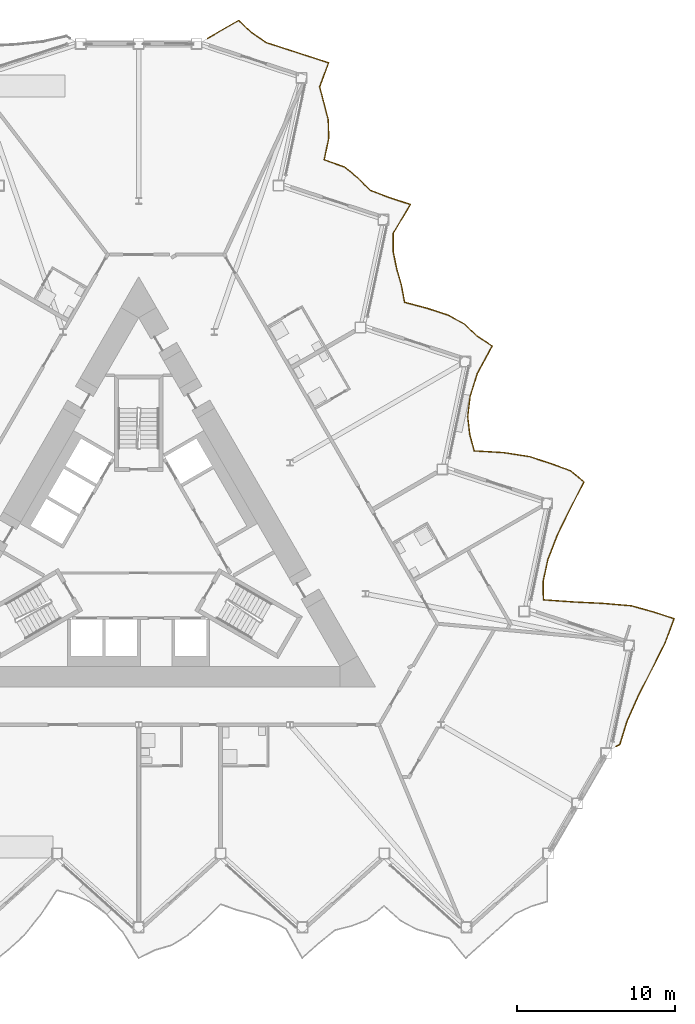
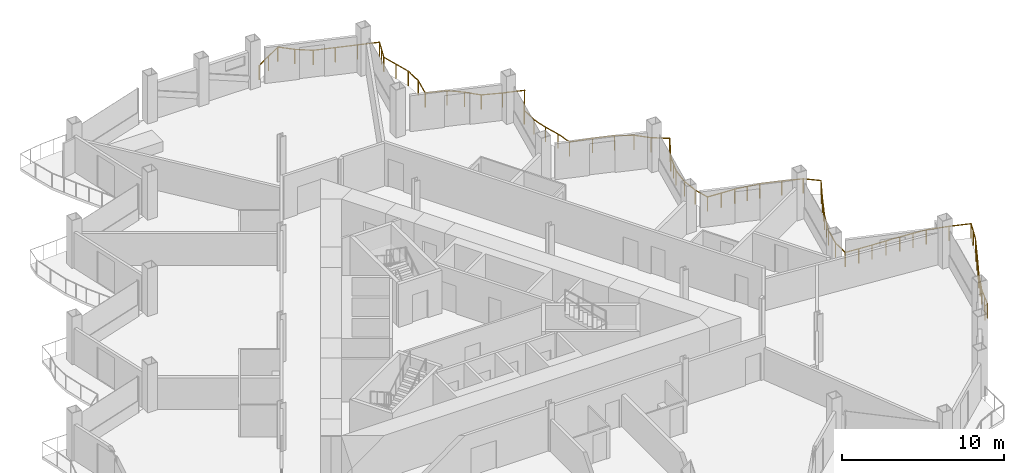
# One storey, part 21 of 23: 1 railing.
"""IFC4 building model written with IfcOpenShell, lengths in metres."""

from ifc_helpers import new_model, si_unit, direction, frame, origin, origin_2d, place, context, subcontext, project, spatial, circle, extrude, material, type_object, element, save


model = new_model("IFC4")

# Units and contexts
model_context = context("Model", 3, precision=1e-05, world=origin(), true_north=direction((0.0, 1.0)))
body_context = subcontext(model_context, "Body", "Model", "MODEL_VIEW")
ifc_project = project(units=[si_unit("LENGTHUNIT", "METRE"), si_unit("AREAUNIT", "SQUARE_METRE"), si_unit("VOLUMEUNIT", "CUBIC_METRE"), si_unit("PLANEANGLEUNIT", "RADIAN"), si_unit("MASSUNIT", "GRAM", prefix="KILO")], contexts=[model_context])

# Site, building, storey
site_placement = place(None, origin())
site = spatial("IfcSite", under=ifc_project, at=site_placement, CompositionType="ELEMENT")
building_placement = place(site_placement, origin())
building = spatial("IfcBuilding", under=site, at=building_placement, Name="Cormorant Prow Tower", CompositionType="ELEMENT")
storey_placement = place(building_placement, frame((0.0, 0.0, 256.199951171875)))
storey = spatial("IfcBuildingStorey", under=building, at=storey_placement, Name="L57", CompositionType="ELEMENT", Elevation=256.199951171875)

# Railing
ifc_material = material(Name="Aluminium 6063-T6", Category="aluminium")
railing_type = type_object("IfcRailingType", Name="Balcony guard 1100", PredefinedType="GUARDRAIL", material=ifc_material)
railing_placement = place(storey_placement, frame((30.246337890625, -12.441162109375, 0.0)))
element("IfcRailing", 1, at=railing_placement, inside=storey, type_object=railing_type, Name="Balcony guard ENE", PredefinedType="GUARDRAIL", context=body_context, shape_type="SweptSolid", body=[
    extrude(circle(Radius=0.02392578125, at=origin_2d()), frame((0.0, 0.0, 1.076171875), z_axis=(0.866065156741, 0.499931139538, 0.0), x_axis=(-0.499931139538, 0.866065156741, 0.0)), (0.0, 0.0, 1.0), 0.27001953125),
    extrude(circle(Radius=0.02392578125, at=origin_2d()), frame((0.23388671875, 0.135009765625, 1.076171875), z_axis=(0.294299972374, 0.955713098299, 0.0), x_axis=(-0.955713098299, 0.294299972374, 0.0)), (0.0, 0.0, 1.0), 1.522216796875),
    extrude(circle(Radius=0.02392578125, at=origin_2d()), frame((0.681884765625, 1.58984375, 1.076171875), z_axis=(0.407127228951, 0.913371457539, 0.0), x_axis=(-0.913371457539, 0.407127228951, 0.0)), (0.0, 0.0, 1.0), 1.763671875),
    extrude(circle(Radius=0.02392578125, at=origin_2d()), frame((1.39990234375, 3.20068359375, 1.076171875), z_axis=(0.453979632385, 0.891012061299, 0.0), x_axis=(-0.891012061299, 0.453979632385, 0.0)), (0.0, 0.0, 1.0), 1.901611328125),
    extrude(circle(Radius=0.02392578125, at=origin_2d()), frame((2.26318359375, 4.89501953125, 1.076171875), z_axis=(0.447057728956, 0.894505107297, 0.0), x_axis=(-0.894505107297, 0.447057728956, 0.0)), (0.0, 0.0, 1.0), 1.879638671875),
    extrude(circle(Radius=0.02392578125, at=origin_2d()), frame((3.103515625, 6.576416015625, 1.076171875), z_axis=(0.350630761082, 0.93651378494, 0.0), x_axis=(-0.93651378494, 0.350630761082, 0.0)), (0.0, 0.0, 1.0), 1.62939453125),
    extrude(circle(Radius=0.02392578125, at=origin_2d()), frame((3.6748046875, 8.102294921875, 1.076171875), z_axis=(-0.951021197096, 0.309125674563, 0.0), x_axis=(-0.309125674563, -0.951021197096, 0.0)), (0.0, 0.0, 1.0), 1.39404296875),
    extrude(circle(Radius=0.02392578125, at=origin_2d()), frame((2.34912109375, 8.533203125, 1.076171875), z_axis=(-0.963748634798, 0.26681186054, 0.0), x_axis=(-0.26681186054, -0.963748634798, 0.0)), (0.0, 0.0, 1.0), 1.453125),
    extrude(circle(Radius=0.02392578125, at=origin_2d()), frame((0.94873046875, 8.9208984375, 1.076171875), z_axis=(-0.996428689002, 0.084438544128, 0.0), x_axis=(-0.084438544128, -0.996428689002, 0.0)), (0.0, 0.0, 1.0), 1.81298828125),
    extrude(circle(Radius=0.02392578125, at=origin_2d()), frame((-0.857666015625, 9.073974609375, 1.076171875), z_axis=(-0.998803697457, 0.04889963136, 0.0), x_axis=(-0.04889963136, -0.998803697457, 0.0)), (0.0, 0.0, 1.0), 1.912109375),
    extrude(circle(Radius=0.02392578125, at=origin_2d()), frame((-2.767578125, 9.16748046875, 1.076171875), z_axis=(-0.997431119576, 0.071632127575, 0.0), x_axis=(-0.071632127575, -0.997431119576, 0.0)), (0.0, 0.0, 1.0), 1.84716796875),
    extrude(circle(Radius=0.02392578125, at=origin_2d()), frame((-4.610107421875, 9.2998046875, 1.076171875), z_axis=(-0.007378360333, 0.999972779529, 0.0), x_axis=(-0.999972779529, -0.007378360333, 0.0)), (0.0, 0.0, 1.0), 1.191162109375),
    extrude(circle(Radius=0.02392578125, at=origin_2d()), frame((-4.618896484375, 10.490966796875, 1.076171875), z_axis=(0.212161625073, 0.977234590488, 0.0), x_axis=(-0.977234590488, 0.212161625073, 0.0)), (0.0, 0.0, 1.0), 1.399169921875),
    extrude(circle(Radius=0.02392578125, at=origin_2d()), frame((-4.322021484375, 11.8583984375, 1.076171875), z_axis=(0.362524550887, 0.931974221749, 0.0), x_axis=(-0.931974221749, 0.362524550887, 0.0)), (0.0, 0.0, 1.0), 1.6552734375),
    extrude(circle(Radius=0.02392578125, at=origin_2d()), frame((-3.721923828125, 13.401123046875, 1.076171875), z_axis=(0.43871164054, 0.898627896548, 0.0), x_axis=(-0.898627896548, 0.43871164054, 0.0)), (0.0, 0.0, 1.0), 1.853759765625),
    extrude(circle(Radius=0.02392578125, at=origin_2d()), frame((-2.90869140625, 15.06689453125, 1.076171875), z_axis=(0.456845668936, 0.889545971142, 0.0), x_axis=(-0.889545971142, 0.456845668936, 0.0)), (0.0, 0.0, 1.0), 1.9111328125),
    extrude(circle(Radius=0.02392578125, at=origin_2d()), frame((-2.03564453125, 16.766845703125, 1.076171875), z_axis=(-0.771413907703, 0.636333704122, 0.0), x_axis=(-0.636333704122, -0.771413907703, 0.0)), (0.0, 0.0, 1.0), 1.106201171875),
    extrude(circle(Radius=0.02392578125, at=origin_2d()), frame((-2.888916015625, 17.470703125, 1.076171875), z_axis=(-0.93895619029, 0.344036731638, 0.0), x_axis=(-0.344036731638, -0.93895619029, 0.0)), (0.0, 0.0, 1.0), 1.349609375),
    extrude(circle(Radius=0.02392578125, at=origin_2d()), frame((-4.15625, 17.93505859375, 1.076171875), z_axis=(-0.951021197096, 0.309125674563, 0.0), x_axis=(-0.309125674563, -0.951021197096, 0.0)), (0.0, 0.0, 1.0), 1.39404296875),
    extrude(circle(Radius=0.02392578125, at=origin_2d()), frame((-5.48193359375, 18.365966796875, 1.076171875), z_axis=(-0.987880369937, 0.155217185561, 0.0), x_axis=(-0.155217185561, -0.987880369937, 0.0)), (0.0, 0.0, 1.0), 1.6484375),
    extrude(circle(Radius=0.02392578125, at=origin_2d()), frame((-7.1103515625, 18.621826171875, 1.076171875), z_axis=(-0.998283298158, 0.058570100048, 0.0), x_axis=(-0.058570100048, -0.998283298158, 0.0)), (0.0, 0.0, 1.0), 1.884033203125),
    extrude(circle(Radius=0.02392578125, at=origin_2d()), frame((-8.9912109375, 18.732177734375, 1.076171875), z_axis=(-0.261786926871, 0.965125693845, 0.0), x_axis=(-0.965125693845, -0.261786926871, 0.0)), (0.0, 0.0, 1.0), 1.071533203125),
    extrude(circle(Radius=0.02392578125, at=origin_2d()), frame((-9.271728515625, 19.766357421875, 1.076171875), z_axis=(-0.114156334584, 0.993462798133, 0.0), x_axis=(-0.993462798133, -0.114156334584, 0.0)), (0.0, 0.0, 1.0), 1.129150390625),
    extrude(circle(Radius=0.02392578125, at=origin_2d()), frame((-9.400634765625, 20.88818359375, 1.076171875), z_axis=(0.112782096262, 0.993619745558, 0.0), x_axis=(-0.993619745558, 0.112782096262, 0.0)), (0.0, 0.0, 1.0), 1.2880859375),
    extrude(circle(Radius=0.02392578125, at=origin_2d()), frame((-9.25537109375, 22.16796875, 1.076171875), z_axis=(0.300902773755, 0.953654822641, 0.0), x_axis=(-0.953654822641, 0.300902773755, 0.0)), (0.0, 0.0, 1.0), 1.533447265625),
    extrude(circle(Radius=0.02392578125, at=origin_2d()), frame((-8.7939453125, 23.63037109375, 1.076171875), z_axis=(0.475674539098, 0.879621357662, 0.0), x_axis=(-0.879621357662, 0.475674539098, 0.0)), (0.0, 0.0, 1.0), 1.9775390625),
    extrude(circle(Radius=0.02392578125, at=origin_2d()), frame((-7.853271484375, 25.369873046875, 1.076171875), z_axis=(-0.832828955903, 0.553530423924, 0.0), x_axis=(-0.553530423924, -0.832828955903, 0.0)), (0.0, 0.0, 1.0), 1.156494140625),
    extrude(circle(Radius=0.02392578125, at=origin_2d()), frame((-8.81640625, 26.010009765625, 1.076171875), z_axis=(-0.72265659814, 0.691207234601, 0.0), x_axis=(-0.691207234601, -0.72265659814, 0.0)), (0.0, 0.0, 1.0), 1.0791015625),
    extrude(circle(Radius=0.02392578125, at=origin_2d()), frame((-9.59619140625, 26.755859375, 1.076171875), z_axis=(-0.877880193336, 0.478880325496, 0.0), x_axis=(-0.478880325496, -0.877880193336, 0.0)), (0.0, 0.0, 1.0), 1.21337890625),
    extrude(circle(Radius=0.02392578125, at=origin_2d()), frame((-10.661376953125, 27.3369140625, 1.076171875), z_axis=(-0.951021197096, 0.309125674563, 0.0), x_axis=(-0.309125674563, -0.951021197096, 0.0)), (0.0, 0.0, 1.0), 1.39404296875),
    extrude(circle(Radius=0.02392578125, at=origin_2d()), frame((-11.987060546875, 27.767822265625, 1.076171875), z_axis=(-0.966223886396, 0.257704096509, 0.0), x_axis=(-0.257704096509, -0.966223886396, 0.0)), (0.0, 0.0, 1.0), 1.466552734375),
    extrude(circle(Radius=0.02392578125, at=origin_2d()), frame((-13.404052734375, 28.145751953125, 1.076171875), z_axis=(-0.180721649259, 0.983534282823, 0.0), x_axis=(-0.983534282823, -0.180721649259, 0.0)), (0.0, 0.0, 1.0), 1.099609375),
    extrude(circle(Radius=0.02392578125, at=origin_2d()), frame((-13.602783203125, 29.227294921875, 1.076171875), z_axis=(-0.276291580603, 0.961073859018, 0.0), x_axis=(-0.961073859018, -0.276291580603, 0.0)), (0.0, 0.0, 1.0), 1.0673828125),
    extrude(circle(Radius=0.02392578125, at=origin_2d()), frame((-13.897705078125, 30.253173828125, 1.076171875), z_axis=(-0.202006381345, 0.979384205456, 0.0), x_axis=(-0.979384205456, -0.202006381345, 0.0)), (0.0, 0.0, 1.0), 1.09130859375),
    extrude(circle(Radius=0.02392578125, at=origin_2d()), frame((-14.1181640625, 31.322021484375, 1.076171875), z_axis=(0.002649267247, 0.999996490685, 0.0), x_axis=(-0.999996490685, 0.002649267247, 0.0)), (0.0, 0.0, 1.0), 1.197998046875),
    extrude(circle(Radius=0.02392578125, at=origin_2d()), frame((-14.114990234375, 32.52001953125, 1.076171875), z_axis=(0.510813011647, 0.859691844286, 0.0), x_axis=(-0.859691844286, 0.510813011647, 0.0)), (0.0, 0.0, 1.0), 2.1181640625),
    extrude(circle(Radius=0.02392578125, at=origin_2d()), frame((-13.032958984375, 34.341064453125, 1.076171875), z_axis=(-0.95107267583, 0.308967256015, 0.0), x_axis=(-0.308967256015, -0.95107267583, 0.0)), (0.0, 0.0, 1.0), 1.393798828125),
    extrude(circle(Radius=0.02392578125, at=origin_2d()), frame((-14.358642578125, 34.771728515625, 1.076171875), z_axis=(-0.933830730851, 0.357715202526, 0.0), x_axis=(-0.357715202526, -0.933830730851, 0.0)), (0.0, 0.0, 1.0), 1.33349609375),
    extrude(circle(Radius=0.02392578125, at=origin_2d()), frame((-15.60400390625, 35.248779296875, 1.076171875), z_axis=(-0.696399223042, 0.717654598081, 0.0), x_axis=(-0.717654598081, -0.696399223042, 0.0)), (0.0, 0.0, 1.0), 1.068115234375),
    extrude(circle(Radius=0.02392578125, at=origin_2d()), frame((-16.347900390625, 36.015380859375, 1.076171875), z_axis=(-0.776490869114, 0.630128502912, 0.0), x_axis=(-0.630128502912, -0.776490869114, 0.0)), (0.0, 0.0, 1.0), 1.109375),
    extrude(circle(Radius=0.02392578125, at=origin_2d()), frame((-17.209228515625, 36.71435546875, 1.076171875), z_axis=(-0.942429568351, 0.334404707948, 0.0), x_axis=(-0.334404707948, -0.942429568351, 0.0)), (0.0, 0.0, 1.0), 1.361572265625),
    extrude(circle(Radius=0.02392578125, at=origin_2d()), frame((-18.492431640625, 37.169677734375, 1.076171875), z_axis=(0.207890175504, 0.978152173708, 0.0), x_axis=(-0.978152173708, 0.207890175504, 0.0)), (0.0, 0.0, 1.0), 1.39404296875),
    extrude(circle(Radius=0.02392578125, at=origin_2d()), frame((-18.20263671875, 38.533203125, 1.076171875), z_axis=(-0.02904544062, 0.999578092186, 0.0), x_axis=(-0.999578092186, -0.02904544062, 0.0)), (0.0, 0.0, 1.0), 1.1767578125),
    extrude(circle(Radius=0.02392578125, at=origin_2d()), frame((-18.23681640625, 39.70947265625, 1.076171875), z_axis=(-0.250970040909, 0.967994854618, 0.0), x_axis=(-0.967994854618, -0.250970040909, 0.0)), (0.0, 0.0, 1.0), 1.074951171875),
    extrude(circle(Radius=0.02392578125, at=origin_2d()), frame((-18.506591796875, 40.75, 1.076171875), z_axis=(-0.258356799597, 0.966049566069, 0.0), x_axis=(-0.966049566069, -0.258356799597, 0.0)), (0.0, 0.0, 1.0), 1.072509765625),
    extrude(circle(Radius=0.02392578125, at=origin_2d()), frame((-18.78369140625, 41.7861328125, 1.076171875), z_axis=(0.350630761082, 0.93651378494, 0.0), x_axis=(-0.93651378494, 0.350630761082, 0.0)), (0.0, 0.0, 1.0), 1.62939453125),
    extrude(circle(Radius=0.02392578125, at=origin_2d()), frame((-18.21240234375, 43.31201171875, 1.076171875), z_axis=(-0.951021197096, 0.309125674563, 0.0), x_axis=(-0.309125674563, -0.951021197096, 0.0)), (0.0, 0.0, 1.0), 1.39404296875),
    extrude(circle(Radius=0.02392578125, at=origin_2d()), frame((-19.5380859375, 43.742919921875, 1.076171875), z_axis=(-0.95107267583, 0.308967256015, 0.0), x_axis=(-0.308967256015, -0.95107267583, 0.0)), (0.0, 0.0, 1.0), 1.393798828125),
    extrude(circle(Radius=0.02392578125, at=origin_2d()), frame((-20.86376953125, 44.173583984375, 1.076171875), z_axis=(-0.95107267583, 0.308967256015, 0.0), x_axis=(-0.308967256015, -0.95107267583, 0.0)), (0.0, 0.0, 1.0), 1.393798828125),
    extrude(circle(Radius=0.02392578125, at=origin_2d()), frame((-22.189453125, 44.604248046875, 1.076171875), z_axis=(-0.81973305197, 0.572745775635, 0.0), x_axis=(-0.572745775635, -0.81973305197, 0.0)), (0.0, 0.0, 1.0), 1.1435546875),
    extrude(circle(Radius=0.02392578125, at=origin_2d()), frame((-23.126953125, 45.25927734375, 1.076171875), z_axis=(-0.726267218488, 0.687412487048, 0.0), x_axis=(-0.687412487048, -0.726267218488, 0.0)), (0.0, 0.0, 1.0), 1.080810546875),
    extrude(circle(Radius=0.02392578125, at=origin_2d()), frame((-23.911865234375, 46.002197265625, 1.076171875), z_axis=(-0.866052595322, -0.499952899918, 0.0), x_axis=(0.499952899918, -0.866052595322, 0.0)), (0.0, 0.0, 1.0), 2.292724609375),
    extrude(circle(Radius=0.02099609375, at=origin_2d()), origin(), (0.0, 0.0, 1.0), 1.052001953125),
    extrude(circle(Radius=0.02099609375, at=origin_2d()), frame((0.23388671875, 0.135009765625, 0.0)), (0.0, 0.0, 1.0), 1.052001953125),
    extrude(circle(Radius=0.02099609375, at=origin_2d()), frame((0.4580078125, 0.8623046875, 0.0)), (0.0, 0.0, 1.0), 1.052001953125),
    extrude(circle(Radius=0.02099609375, at=origin_2d()), frame((0.681884765625, 1.58984375, 0.0)), (0.0, 0.0, 1.0), 1.052001953125),
    extrude(circle(Radius=0.02099609375, at=origin_2d()), frame((1.041015625, 2.395263671875, 0.0)), (0.0, 0.0, 1.0), 1.052001953125),
    extrude(circle(Radius=0.02099609375, at=origin_2d()), frame((1.39990234375, 3.20068359375, 0.0)), (0.0, 0.0, 1.0), 1.052001953125),
    extrude(circle(Radius=0.02099609375, at=origin_2d()), frame((1.83154296875, 4.0478515625, 0.0)), (0.0, 0.0, 1.0), 1.052001953125),
    extrude(circle(Radius=0.02099609375, at=origin_2d()), frame((2.26318359375, 4.89501953125, 0.0)), (0.0, 0.0, 1.0), 1.052001953125),
    extrude(circle(Radius=0.02099609375, at=origin_2d()), frame((2.683349609375, 5.73583984375, 0.0)), (0.0, 0.0, 1.0), 1.052001953125),
    extrude(circle(Radius=0.02099609375, at=origin_2d()), frame((3.103515625, 6.576416015625, 0.0)), (0.0, 0.0, 1.0), 1.052001953125),
    extrude(circle(Radius=0.02099609375, at=origin_2d()), frame((3.38916015625, 7.33935546875, 0.0)), (0.0, 0.0, 1.0), 1.052001953125),
    extrude(circle(Radius=0.02099609375, at=origin_2d()), frame((3.6748046875, 8.102294921875, 0.0)), (0.0, 0.0, 1.0), 1.052001953125),
    extrude(circle(Radius=0.02099609375, at=origin_2d()), frame((2.34912109375, 8.533203125, 0.0)), (0.0, 0.0, 1.0), 1.052001953125),
    extrude(circle(Radius=0.02099609375, at=origin_2d()), frame((0.94873046875, 8.9208984375, 0.0)), (0.0, 0.0, 1.0), 1.052001953125),
    extrude(circle(Radius=0.02099609375, at=origin_2d()), frame((0.04541015625, 8.99755859375, 0.0)), (0.0, 0.0, 1.0), 1.052001953125),
    extrude(circle(Radius=0.02099609375, at=origin_2d()), frame((-0.857666015625, 9.073974609375, 0.0)), (0.0, 0.0, 1.0), 1.052001953125),
    extrude(circle(Radius=0.02099609375, at=origin_2d()), frame((-1.8125, 9.12060546875, 0.0)), (0.0, 0.0, 1.0), 1.052001953125),
    extrude(circle(Radius=0.02099609375, at=origin_2d()), frame((-2.767578125, 9.16748046875, 0.0)), (0.0, 0.0, 1.0), 1.052001953125),
    extrude(circle(Radius=0.02099609375, at=origin_2d()), frame((-3.68896484375, 9.233642578125, 0.0)), (0.0, 0.0, 1.0), 1.052001953125),
    extrude(circle(Radius=0.02099609375, at=origin_2d()), frame((-4.610107421875, 9.2998046875, 0.0)), (0.0, 0.0, 1.0), 1.052001953125),
    extrude(circle(Radius=0.02099609375, at=origin_2d()), frame((-4.618896484375, 10.490966796875, 0.0)), (0.0, 0.0, 1.0), 1.052001953125),
    extrude(circle(Radius=0.02099609375, at=origin_2d()), frame((-4.322021484375, 11.8583984375, 0.0)), (0.0, 0.0, 1.0), 1.052001953125),
    extrude(circle(Radius=0.02099609375, at=origin_2d()), frame((-4.02197265625, 12.6298828125, 0.0)), (0.0, 0.0, 1.0), 1.052001953125),
    extrude(circle(Radius=0.02099609375, at=origin_2d()), frame((-3.721923828125, 13.401123046875, 0.0)), (0.0, 0.0, 1.0), 1.052001953125),
    extrude(circle(Radius=0.02099609375, at=origin_2d()), frame((-3.3154296875, 14.23388671875, 0.0)), (0.0, 0.0, 1.0), 1.052001953125),
    extrude(circle(Radius=0.02099609375, at=origin_2d()), frame((-2.90869140625, 15.06689453125, 0.0)), (0.0, 0.0, 1.0), 1.052001953125),
    extrude(circle(Radius=0.02099609375, at=origin_2d()), frame((-2.47216796875, 15.9169921875, 0.0)), (0.0, 0.0, 1.0), 1.052001953125),
    extrude(circle(Radius=0.02099609375, at=origin_2d()), frame((-2.03564453125, 16.766845703125, 0.0)), (0.0, 0.0, 1.0), 1.052001953125),
    extrude(circle(Radius=0.02099609375, at=origin_2d()), frame((-2.888916015625, 17.470703125, 0.0)), (0.0, 0.0, 1.0), 1.052001953125),
    extrude(circle(Radius=0.02099609375, at=origin_2d()), frame((-4.15625, 17.93505859375, 0.0)), (0.0, 0.0, 1.0), 1.052001953125),
    extrude(circle(Radius=0.02099609375, at=origin_2d()), frame((-5.48193359375, 18.365966796875, 0.0)), (0.0, 0.0, 1.0), 1.052001953125),
    extrude(circle(Radius=0.02099609375, at=origin_2d()), frame((-6.296142578125, 18.493896484375, 0.0)), (0.0, 0.0, 1.0), 1.052001953125),
    extrude(circle(Radius=0.02099609375, at=origin_2d()), frame((-7.1103515625, 18.621826171875, 0.0)), (0.0, 0.0, 1.0), 1.052001953125),
    extrude(circle(Radius=0.02099609375, at=origin_2d()), frame((-8.05078125, 18.677001953125, 0.0)), (0.0, 0.0, 1.0), 1.052001953125),
    extrude(circle(Radius=0.02099609375, at=origin_2d()), frame((-8.9912109375, 18.732177734375, 0.0)), (0.0, 0.0, 1.0), 1.052001953125),
    extrude(circle(Radius=0.02099609375, at=origin_2d()), frame((-9.271728515625, 19.766357421875, 0.0)), (0.0, 0.0, 1.0), 1.052001953125),
    extrude(circle(Radius=0.02099609375, at=origin_2d()), frame((-9.400634765625, 20.88818359375, 0.0)), (0.0, 0.0, 1.0), 1.052001953125),
    extrude(circle(Radius=0.02099609375, at=origin_2d()), frame((-9.25537109375, 22.16796875, 0.0)), (0.0, 0.0, 1.0), 1.052001953125),
    extrude(circle(Radius=0.02099609375, at=origin_2d()), frame((-9.024658203125, 22.899169921875, 0.0)), (0.0, 0.0, 1.0), 1.052001953125),
    extrude(circle(Radius=0.02099609375, at=origin_2d()), frame((-8.7939453125, 23.63037109375, 0.0)), (0.0, 0.0, 1.0), 1.052001953125),
    extrude(circle(Radius=0.02099609375, at=origin_2d()), frame((-8.32373046875, 24.5, 0.0)), (0.0, 0.0, 1.0), 1.052001953125),
    extrude(circle(Radius=0.02099609375, at=origin_2d()), frame((-7.853271484375, 25.369873046875, 0.0)), (0.0, 0.0, 1.0), 1.052001953125),
    extrude(circle(Radius=0.02099609375, at=origin_2d()), frame((-8.81640625, 26.010009765625, 0.0)), (0.0, 0.0, 1.0), 1.052001953125),
    extrude(circle(Radius=0.02099609375, at=origin_2d()), frame((-9.59619140625, 26.755859375, 0.0)), (0.0, 0.0, 1.0), 1.052001953125),
    extrude(circle(Radius=0.02099609375, at=origin_2d()), frame((-10.661376953125, 27.3369140625, 0.0)), (0.0, 0.0, 1.0), 1.052001953125),
    extrude(circle(Radius=0.02099609375, at=origin_2d()), frame((-11.987060546875, 27.767822265625, 0.0)), (0.0, 0.0, 1.0), 1.052001953125),
    extrude(circle(Radius=0.02099609375, at=origin_2d()), frame((-13.404052734375, 28.145751953125, 0.0)), (0.0, 0.0, 1.0), 1.052001953125),
    extrude(circle(Radius=0.02099609375, at=origin_2d()), frame((-13.602783203125, 29.227294921875, 0.0)), (0.0, 0.0, 1.0), 1.052001953125),
    extrude(circle(Radius=0.02099609375, at=origin_2d()), frame((-13.897705078125, 30.253173828125, 0.0)), (0.0, 0.0, 1.0), 1.052001953125),
    extrude(circle(Radius=0.02099609375, at=origin_2d()), frame((-14.1181640625, 31.322021484375, 0.0)), (0.0, 0.0, 1.0), 1.052001953125),
    extrude(circle(Radius=0.02099609375, at=origin_2d()), frame((-14.114990234375, 32.52001953125, 0.0)), (0.0, 0.0, 1.0), 1.052001953125),
    extrude(circle(Radius=0.02099609375, at=origin_2d()), frame((-13.573974609375, 33.4306640625, 0.0)), (0.0, 0.0, 1.0), 1.052001953125),
    extrude(circle(Radius=0.02099609375, at=origin_2d()), frame((-13.032958984375, 34.341064453125, 0.0)), (0.0, 0.0, 1.0), 1.052001953125),
    extrude(circle(Radius=0.02099609375, at=origin_2d()), frame((-14.358642578125, 34.771728515625, 0.0)), (0.0, 0.0, 1.0), 1.052001953125),
    extrude(circle(Radius=0.02099609375, at=origin_2d()), frame((-15.60400390625, 35.248779296875, 0.0)), (0.0, 0.0, 1.0), 1.052001953125),
    extrude(circle(Radius=0.02099609375, at=origin_2d()), frame((-16.347900390625, 36.015380859375, 0.0)), (0.0, 0.0, 1.0), 1.052001953125),
    extrude(circle(Radius=0.02099609375, at=origin_2d()), frame((-17.209228515625, 36.71435546875, 0.0)), (0.0, 0.0, 1.0), 1.052001953125),
    extrude(circle(Radius=0.02099609375, at=origin_2d()), frame((-18.492431640625, 37.169677734375, 0.0)), (0.0, 0.0, 1.0), 1.052001953125),
    extrude(circle(Radius=0.02099609375, at=origin_2d()), frame((-18.20263671875, 38.533203125, 0.0)), (0.0, 0.0, 1.0), 1.052001953125),
    extrude(circle(Radius=0.02099609375, at=origin_2d()), frame((-18.23681640625, 39.70947265625, 0.0)), (0.0, 0.0, 1.0), 1.052001953125),
    extrude(circle(Radius=0.02099609375, at=origin_2d()), frame((-18.506591796875, 40.75, 0.0)), (0.0, 0.0, 1.0), 1.052001953125),
    extrude(circle(Radius=0.02099609375, at=origin_2d()), frame((-18.78369140625, 41.7861328125, 0.0)), (0.0, 0.0, 1.0), 1.052001953125),
    extrude(circle(Radius=0.02099609375, at=origin_2d()), frame((-18.498046875, 42.549072265625, 0.0)), (0.0, 0.0, 1.0), 1.052001953125),
    extrude(circle(Radius=0.02099609375, at=origin_2d()), frame((-18.21240234375, 43.31201171875, 0.0)), (0.0, 0.0, 1.0), 1.052001953125),
    extrude(circle(Radius=0.02099609375, at=origin_2d()), frame((-19.5380859375, 43.742919921875, 0.0)), (0.0, 0.0, 1.0), 1.052001953125),
    extrude(circle(Radius=0.02099609375, at=origin_2d()), frame((-20.86376953125, 44.173583984375, 0.0)), (0.0, 0.0, 1.0), 1.052001953125),
    extrude(circle(Radius=0.02099609375, at=origin_2d()), frame((-22.189453125, 44.604248046875, 0.0)), (0.0, 0.0, 1.0), 1.052001953125),
    extrude(circle(Radius=0.02099609375, at=origin_2d()), frame((-23.126953125, 45.25927734375, 0.0)), (0.0, 0.0, 1.0), 1.052001953125),
    extrude(circle(Radius=0.02099609375, at=origin_2d()), frame((-23.911865234375, 46.002197265625, 0.0)), (0.0, 0.0, 1.0), 1.052001953125),
    extrude(circle(Radius=0.02099609375, at=origin_2d()), frame((-24.90478515625, 45.42919921875, 0.0)), (0.0, 0.0, 1.0), 1.052001953125),
    extrude(circle(Radius=0.02099609375, at=origin_2d()), frame((-25.8974609375, 44.85595703125, 0.0)), (0.0, 0.0, 1.0), 1.052001953125),
])

save(model, "model.ifc")
